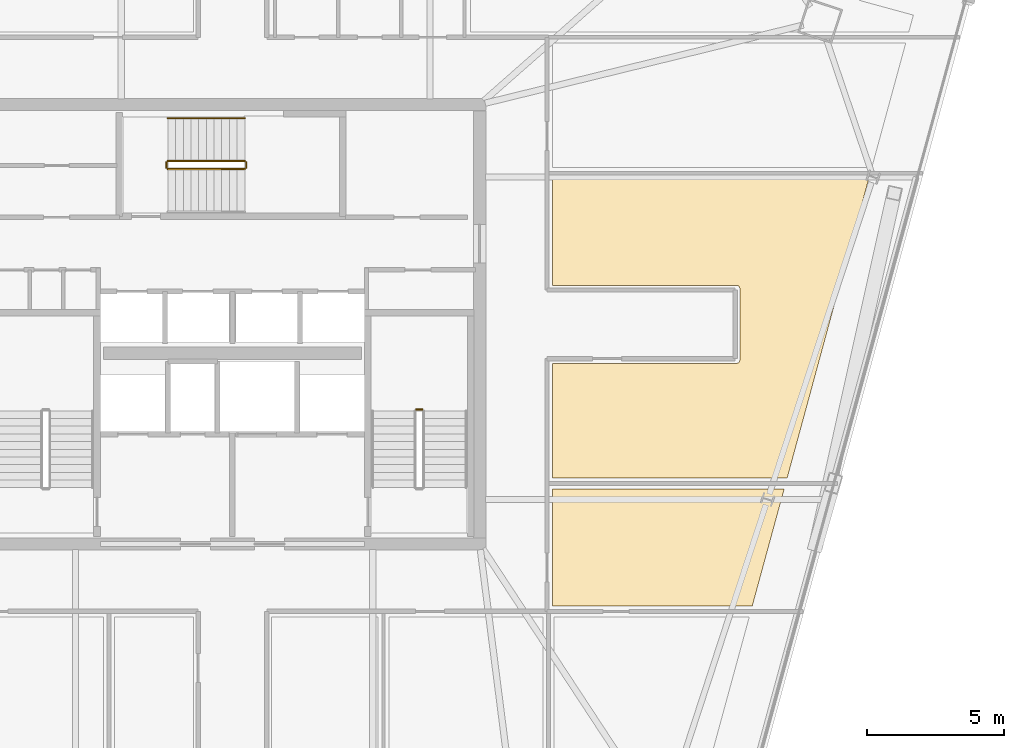
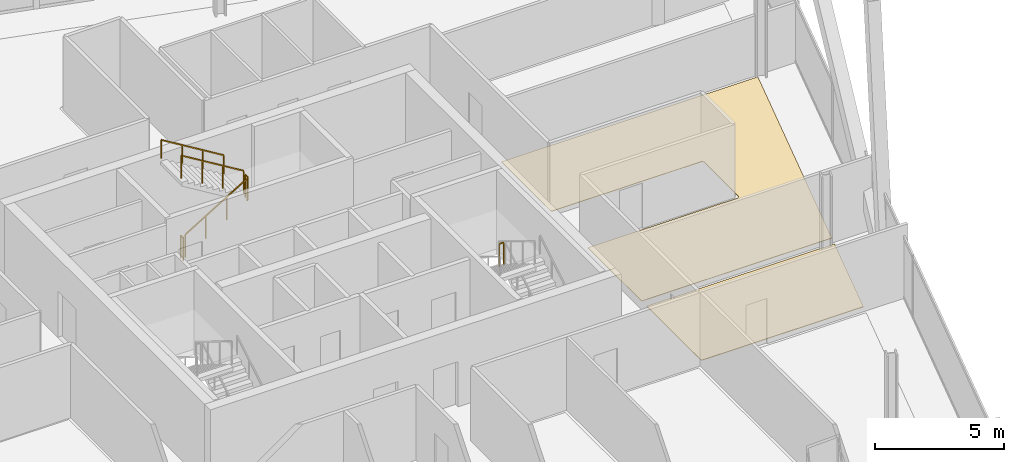
# One storey, part 25 of 26: 6 railings, 2 coverings.
"""IFC4 building model written with IfcOpenShell, lengths in metres."""

from ifc_helpers import new_model, si_unit, direction, frame, origin, origin_2d, place, context, subcontext, project, spatial, polyline, rectangle, outline, extrude, material, layer, layer_set, type_object, element, save


model = new_model("IFC4")

# Units and contexts
model_context = context("Model", 3, precision=1e-05, world=origin(), true_north=direction((0.0, 1.0)))
body_context = subcontext(model_context, "Body", "Model", "MODEL_VIEW")
ifc_project = project(units=[si_unit("LENGTHUNIT", "METRE"), si_unit("AREAUNIT", "SQUARE_METRE"), si_unit("VOLUMEUNIT", "CUBIC_METRE"), si_unit("PLANEANGLEUNIT", "RADIAN"), si_unit("MASSUNIT", "GRAM", prefix="KILO")], contexts=[model_context])

# Site, building, storey
site_placement = place(None, origin())
site = spatial("IfcSite", under=ifc_project, at=site_placement, CompositionType="ELEMENT")
building_placement = place(site_placement, origin())
building = spatial("IfcBuilding", under=site, at=building_placement, Name="Haldenkirk Collegiate Tower", CompositionType="ELEMENT")
storey_placement = place(building_placement, frame((0.0, 0.0, 278.699951171875)))
storey = spatial("IfcBuildingStorey", under=building, at=storey_placement, Name="L70", CompositionType="ELEMENT", Elevation=278.699951171875)

# Coverings
ifc_material_1 = material(Name="Polished collegiate terrazzo", Category="concrete")
ifc_layer_1 = layer(ifc_material_1, 0.02490234375)
ifc_layer_set_1 = layer_set([ifc_layer_1], Name="Polished collegiate terrazzo")
covering_type_1 = type_object("IfcCoveringType", Name="COV-FLOOR-TERRAZZO", PredefinedType="FLOORING", material=ifc_layer_set_1)
covering_1_placement = place(storey_placement, origin())
element("IfcCovering", 1, at=covering_1_placement, inside=storey, type_object=covering_type_1, Name="L70 academic room finish 08", PredefinedType="FLOORING", context=body_context, shape_type="SweptSolid", body=[
    extrude(outline(polyline([(54.92529296875, 15.75), (47.64990234375, 15.75), (47.64990234375, 20.0), (56.083984375, 20.0), (54.92529296875, 15.75)])), origin(), (0.0, 0.0, 1.0), 0.025146484375),
])
ifc_material_2 = material(Name="Engineered collegiate oak acoustic flooring", Category="wood")
ifc_layer_2 = layer(ifc_material_2, 0.02197265625)
ifc_layer_set_2 = layer_set([ifc_layer_2], Name="Engineered collegiate oak acoustic flooring")
covering_type_2 = type_object("IfcCoveringType", Name="COV-FLOOR-TIMBER", PredefinedType="FLOORING", material=ifc_layer_set_2)
covering_2_placement = place(storey_placement, origin())
element("IfcCovering", 2, at=covering_2_placement, inside=storey, type_object=covering_type_2, Name="L70 academic room finish 09", PredefinedType="FLOORING", context=body_context, shape_type="SweptSolid", body=[
    extrude(outline(polyline([(54.35009765625, 24.580078125), (54.36181640625, 24.58056640625), (54.373291015625, 24.582275390625), (54.384765625, 24.585205078125), (54.39599609375, 24.589111328125), (54.406494140625, 24.59423828125), (54.416748046875, 24.60009765625), (54.426025390625, 24.607177734375), (54.434814453125, 24.614990234375), (54.44287109375, 24.623779296875), (54.44970703125, 24.63330078125), (54.455810546875, 24.643310546875), (54.4609375, 24.654052734375), (54.46484375, 24.665283203125), (54.4677734375, 24.676513671875), (54.469482421875, 24.688232421875), (54.469970703125, 24.699951171875), (54.469970703125, 27.300048828125), (54.469482421875, 27.311767578125), (54.4677734375, 27.323486328125), (54.46484375, 27.334716796875), (54.4609375, 27.345947265625), (54.455810546875, 27.356689453125), (54.44970703125, 27.36669921875), (54.44287109375, 27.376220703125), (54.434814453125, 27.385009765625), (54.426025390625, 27.392822265625), (54.416748046875, 27.39990234375), (54.406494140625, 27.40576171875), (54.39599609375, 27.410888671875), (54.384765625, 27.414794921875), (54.373291015625, 27.417724609375), (54.36181640625, 27.41943359375), (54.35009765625, 27.419921875), (47.64990234375, 27.419921875), (47.64990234375, 31.300048828125), (59.164794921875, 31.300048828125), (56.193115234375, 20.39990234375), (47.64990234375, 20.39990234375), (47.64990234375, 24.580078125), (54.35009765625, 24.580078125)])), origin(), (0.0, 0.0, 1.0), 0.02197265625),
])

# Railings
ifc_material_3 = material(Name="Painted architectural tubular steel", Category="steel")
railing_type_1 = type_object("IfcRailingType", Name="RLG-STAIR-GUARD-1100", PredefinedType="BALUSTRADE", material=ifc_material_3)
railing_1_placement = place(storey_placement, frame((42.89990234375, 22.89990234375, 1.875)))
element("IfcRailing", 3, at=railing_1_placement, inside=storey, type_object=railing_type_1, Name="L70 ST-2 stair guard 2", PredefinedType="BALUSTRADE", context=body_context, shape_type="SweptSolid", body=[
    extrude(rectangle(XDim=0.048095703125, YDim=0.048095703125, at=origin_2d()), frame((0.0, 0.0, 1.076171875), z_axis=(-1.0, 0.0, 0.0), x_axis=(0.0, -1.0, 0.0)), (0.0, 0.0, 1.0), 0.199951171875),
    extrude(rectangle(XDim=0.0419921875, YDim=0.0419921875, at=origin_2d()), origin(), (0.0, 0.0, 1.0), 1.052001953125),
    extrude(rectangle(XDim=0.0419921875, YDim=0.0419921875, at=origin_2d()), frame((-0.199951171875, 0.0, 0.0)), (0.0, 0.0, 1.0), 1.052001953125),
])
railing_2_placement = place(storey_placement, frame((33.64990234375, 31.64990234375, 0.17041015625)))
element("IfcRailing", 4, at=railing_2_placement, inside=storey, type_object=railing_type_1, Name="L70 ST-3 stair guard 1", PredefinedType="BALUSTRADE", context=body_context, shape_type="SweptSolid", body=[
    extrude(rectangle(XDim=0.048095703125, YDim=0.048095703125, at=origin_2d()), frame((0.0, 0.0, 1.076171875), z_axis=(0.854169791009, 0.0, 0.51999420009), x_axis=(0.0, 1.0, 0.0)), (0.0, 0.0, 1.0), 3.278076171875),
    extrude(rectangle(XDim=0.0419921875, YDim=0.0419921875, at=origin_2d()), origin(), (0.0, 0.0, 1.0), 1.052001953125),
    extrude(rectangle(XDim=0.0419921875, YDim=0.0419921875, at=origin_2d()), frame((0.933349609375, 0.0, 0.568115234375)), (0.0, 0.0, 1.0), 1.052001953125),
    extrude(rectangle(XDim=0.0419921875, YDim=0.0419921875, at=origin_2d()), frame((1.86669921875, 0.0, 1.136474609375)), (0.0, 0.0, 1.0), 1.052001953125),
    extrude(rectangle(XDim=0.0419921875, YDim=0.0419921875, at=origin_2d()), frame((2.800048828125, 0.0, 1.70458984375)), (0.0, 0.0, 1.0), 1.052001953125),
])
railing_3_placement = place(storey_placement, frame((36.5, 31.699951171875, 1.875)))
element("IfcRailing", 5, at=railing_3_placement, inside=storey, type_object=railing_type_1, Name="L70 ST-3 stair guard 2", PredefinedType="BALUSTRADE", context=body_context, shape_type="SweptSolid", body=[
    extrude(rectangle(XDim=0.048095703125, YDim=0.048095703125, at=origin_2d()), frame((0.0, 0.0, 1.076171875), z_axis=(0.0, 1.0, 0.0), x_axis=(-1.0, 0.0, 0.0)), (0.0, 0.0, 1.0), 0.199951171875),
    extrude(rectangle(XDim=0.0419921875, YDim=0.0419921875, at=origin_2d()), origin(), (0.0, 0.0, 1.0), 1.052001953125),
    extrude(rectangle(XDim=0.0419921875, YDim=0.0419921875, at=origin_2d()), frame((0.0, 0.199951171875, 0.0)), (0.0, 0.0, 1.0), 1.052001953125),
])
railing_4_placement = place(storey_placement, frame((36.449951171875, 31.949951171875, 2.04541015625)))
element("IfcRailing", 6, at=railing_4_placement, inside=storey, type_object=railing_type_1, Name="L70 ST-3 stair guard 3", PredefinedType="BALUSTRADE", context=body_context, shape_type="SweptSolid", body=[
    extrude(rectangle(XDim=0.048095703125, YDim=0.048095703125, at=origin_2d()), frame((0.0, 0.0, 1.076171875), z_axis=(-0.854169791009, 0.0, 0.51999420009), x_axis=(0.0, -1.0, 0.0)), (0.0, 0.0, 1.0), 3.278076171875),
    extrude(rectangle(XDim=0.0419921875, YDim=0.0419921875, at=origin_2d()), origin(), (0.0, 0.0, 1.0), 1.052001953125),
    extrude(rectangle(XDim=0.0419921875, YDim=0.0419921875, at=origin_2d()), frame((-0.933349609375, 0.0, 0.568115234375)), (0.0, 0.0, 1.0), 1.052001953125),
    extrude(rectangle(XDim=0.0419921875, YDim=0.0419921875, at=origin_2d()), frame((-1.86669921875, 0.0, 1.136474609375)), (0.0, 0.0, 1.0), 1.052001953125),
    extrude(rectangle(XDim=0.0419921875, YDim=0.0419921875, at=origin_2d()), frame((-2.800048828125, 0.0, 1.70458984375)), (0.0, 0.0, 1.0), 1.052001953125),
])
railing_5_placement = place(storey_placement, frame((33.60009765625, 31.699951171875, 0.0)))
element("IfcRailing", 7, at=railing_5_placement, inside=storey, type_object=railing_type_1, Name="L70 ST-3 stair guard 4", PredefinedType="BALUSTRADE", context=body_context, shape_type="SweptSolid", body=[
    extrude(rectangle(XDim=0.048095703125, YDim=0.048095703125, at=origin_2d()), frame((0.0, 0.0, 1.076171875), z_axis=(0.0, 1.0, 0.0), x_axis=(-1.0, 0.0, 0.0)), (0.0, 0.0, 1.0), 0.199951171875),
    extrude(rectangle(XDim=0.0419921875, YDim=0.0419921875, at=origin_2d()), origin(), (0.0, 0.0, 1.0), 1.052001953125),
    extrude(rectangle(XDim=0.0419921875, YDim=0.0419921875, at=origin_2d()), frame((0.0, 0.199951171875, 0.0)), (0.0, 0.0, 1.0), 1.052001953125),
])
railing_type_2 = type_object("IfcRailingType", Name="RLG-STAIR-HANDRAIL-900", PredefinedType="HANDRAIL", material=ifc_material_3)
railing_6_placement = place(storey_placement, frame((36.449951171875, 33.5, 2.04541015625)))
element("IfcRailing", 8, at=railing_6_placement, inside=storey, type_object=railing_type_2, Name="L70 ST-3 stair handrail 2", PredefinedType="HANDRAIL", context=body_context, shape_type="SweptSolid", body=[
    extrude(rectangle(XDim=0.048095703125, YDim=0.048095703125, at=origin_2d()), frame((0.0, 0.0, 0.8759765625), z_axis=(-0.854169791009, 0.0, 0.51999420009), x_axis=(0.0, -1.0, 0.0)), (0.0, 0.0, 1.0), 3.278076171875),
    extrude(rectangle(XDim=0.0419921875, YDim=0.0419921875, at=origin_2d()), origin(), (0.0, 0.0, 1.0), 0.851806640625),
    extrude(rectangle(XDim=0.0419921875, YDim=0.0419921875, at=origin_2d()), frame((-0.933349609375, 0.0, 0.568115234375)), (0.0, 0.0, 1.0), 0.851806640625),
    extrude(rectangle(XDim=0.0419921875, YDim=0.0419921875, at=origin_2d()), frame((-1.86669921875, 0.0, 1.136474609375)), (0.0, 0.0, 1.0), 0.851806640625),
    extrude(rectangle(XDim=0.0419921875, YDim=0.0419921875, at=origin_2d()), frame((-2.800048828125, 0.0, 1.70458984375)), (0.0, 0.0, 1.0), 0.851806640625),
])

save(model, "model.ifc")
